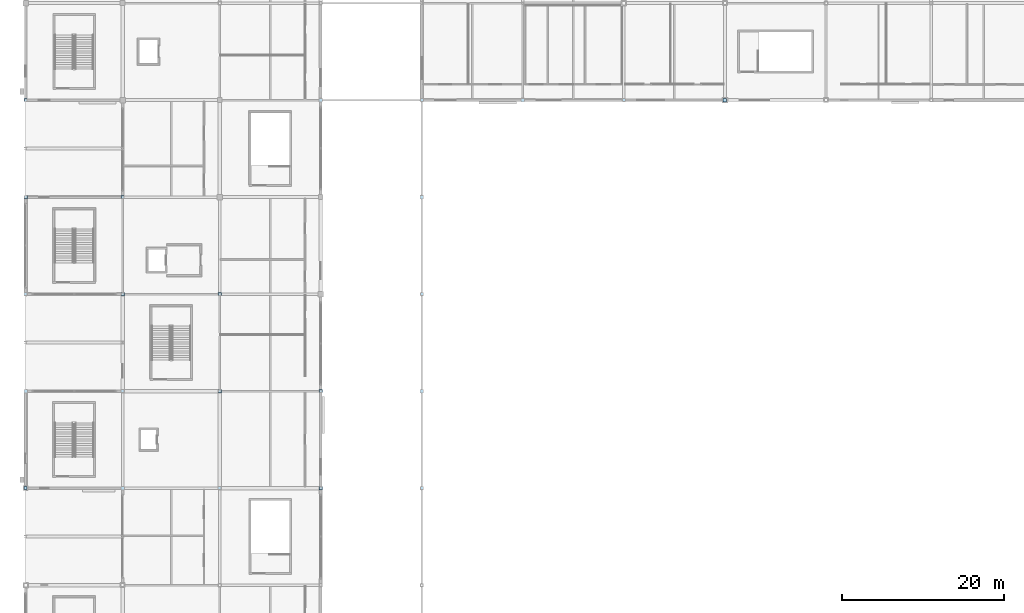
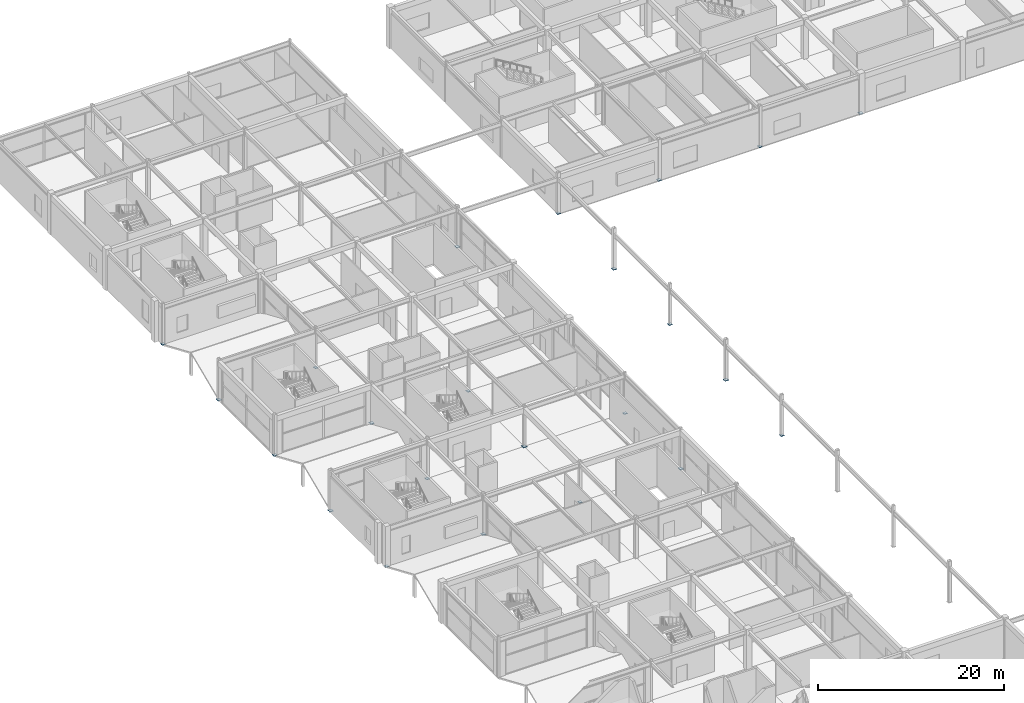
# One storey, part 64 of 105: 23 plates.
"""IFC4 building model written with IfcOpenShell, lengths in metres."""

from ifc_helpers import new_model, si_unit, direction, frame, origin, origin_2d, place, context, subcontext, project, spatial, rectangle, extrude, material, layer, layer_set, type_object, element, save


model = new_model("IFC4")

# Units and contexts
model_context = context("Model", 3, precision=1e-05, world=origin(), true_north=direction((0.0, 1.0)))
body_context = subcontext(model_context, "Body", "Model", "MODEL_VIEW")
ifc_project = project(units=[si_unit("LENGTHUNIT", "METRE"), si_unit("AREAUNIT", "SQUARE_METRE"), si_unit("VOLUMEUNIT", "CUBIC_METRE"), si_unit("PLANEANGLEUNIT", "RADIAN"), si_unit("MASSUNIT", "GRAM", prefix="KILO")], contexts=[model_context])

# Site, building, storey
site_placement = place(None, origin())
site = spatial("IfcSite", under=ifc_project, at=site_placement, CompositionType="ELEMENT")
building_placement = place(site_placement, origin())
building = spatial("IfcBuilding", under=site, at=building_placement, Name="Kazenohara Klinker Stadium", CompositionType="ELEMENT")
storey_placement = place(building_placement, frame((0.0, 0.0, 20.39990234375)))
storey = spatial("IfcBuildingStorey", under=building, at=storey_placement, Name="L04", CompositionType="ELEMENT", Elevation=20.39990234375)

# Plates
ifc_material = material(Name="Steel S355", Category="steel")
ifc_layer_1 = layer(ifc_material, 0.02001953125)
ifc_layer_set_1 = layer_set([ifc_layer_1], Name="Steel S355")
plate_type_1 = type_object("IfcPlateType", Name="PLT-GP01", PredefinedType="USERDEFINED", material=ifc_layer_set_1)
for number, where, z_axis, x_axis, name in (
    (1, (36.5, 132.0, -0.010009765625), (0.0, 0.0, 1.0), (1.0, 0.0, 0.0), "Hollow column end-cap plate GP01 L04 4/M"),
    (2, (49.0, 96.0, -0.010009765625), (0.0, 0.0, 1.0), (1.0, 0.0, 0.0), "Hollow column end-cap plate GP01 L04 5/J"),
    (3, (61.5, 132.0, -0.010009765625), (0.0, 0.0, 1.0), (1.0, 0.0, 0.0), "Hollow column end-cap plate GP01 L04 6/M"),
    (4, (86.5, 132.0, -0.010009765625), (0.0, 0.0, 1.0), (1.0, 0.0, 0.0), "Hollow column end-cap plate GP01 L04 8/M"),
):
    element("IfcPlate", number, at=place(storey_placement, frame(where, z_axis=z_axis, x_axis=x_axis)), inside=storey, type_object=plate_type_1, Name=name, ObjectType="GUSSET PLATE", PredefinedType="USERDEFINED", context=body_context, shape_type="SweptSolid", body=[
        extrude(rectangle(XDim=0.43994140625, YDim=0.43994140625, at=origin_2d()), origin(), (0.0, 0.0, 1.0), 0.02001953125),
    ])
ifc_layer_2 = layer(ifc_material, 0.02197265625)
ifc_layer_set_2 = layer_set([ifc_layer_2], Name="Steel S355")
plate_type_2 = type_object("IfcPlateType", Name="PLT-GP02", PredefinedType="USERDEFINED", material=ifc_layer_set_2)
for number, where, z_axis, x_axis, name in (
    (5, (0.0, 84.0, -0.010986328125), (0.0, 0.0, 1.0), (1.0, 0.0, 0.0), "Hollow column end-cap plate GP02 L04 1/H"),
    (6, (0.0, 108.0, -0.010986328125), (0.0, 0.0, 1.0), (1.0, 0.0, 0.0), "Hollow column end-cap plate GP02 L04 1/K"),
):
    element("IfcPlate", number, at=place(storey_placement, frame(where, z_axis=z_axis, x_axis=x_axis)), inside=storey, type_object=plate_type_2, Name=name, ObjectType="GUSSET PLATE", PredefinedType="USERDEFINED", context=body_context, shape_type="SweptSolid", body=[
        extrude(rectangle(XDim=0.389892578125, YDim=0.389892578125, at=origin_2d()), origin(), (0.0, 0.0, 1.0), 0.02197265625),
    ])
plate_1_placement = place(storey_placement, frame((0.0, 120.0, -0.010986328125), z_axis=(0.0, 0.0, 1.0), x_axis=(1.0, 0.0, 0.0)))
element("IfcPlate", 7, at=plate_1_placement, inside=storey, type_object=plate_type_2, Name="Hollow column end-cap plate GP02 L04 1/L", ObjectType="GUSSET PLATE", PredefinedType="USERDEFINED", context=body_context, shape_type="SweptSolid", body=[
    extrude(rectangle(XDim=0.43994140625, YDim=0.43994140625, at=origin_2d()), origin(), (0.0, 0.0, 1.0), 0.02197265625),
])
for number, where, z_axis, x_axis, name in (
    (8, (0.0, 132.0, -0.010986328125), (0.0, 0.0, 1.0), (1.0, 0.0, 0.0), "Hollow column end-cap plate GP02 L04 1/M"),
    (9, (12.0, 96.0, -0.010986328125), (0.0, 0.0, 1.0), (1.0, 0.0, 0.0), "Hollow column end-cap plate GP02 L04 2/J"),
):
    element("IfcPlate", number, at=place(storey_placement, frame(where, z_axis=z_axis, x_axis=x_axis)), inside=storey, type_object=plate_type_2, Name=name, ObjectType="GUSSET PLATE", PredefinedType="USERDEFINED", context=body_context, shape_type="SweptSolid", body=[
        extrude(rectangle(XDim=0.389892578125, YDim=0.389892578125, at=origin_2d()), origin(), (0.0, 0.0, 1.0), 0.02197265625),
    ])
plate_2_placement = place(storey_placement, frame((12.0, 108.0, -0.010986328125), z_axis=(0.0, 0.0, 1.0), x_axis=(1.0, 0.0, 0.0)))
element("IfcPlate", 10, at=plate_2_placement, inside=storey, type_object=plate_type_2, Name="Hollow column end-cap plate GP02 L04 2/K", ObjectType="GUSSET PLATE", PredefinedType="USERDEFINED", context=body_context, shape_type="SweptSolid", body=[
    extrude(rectangle(XDim=0.43994140625, YDim=0.43994140625, at=origin_2d()), origin(), (0.0, 0.0, 1.0), 0.02197265625),
])
for number, where, z_axis, x_axis, name in (
    (11, (12.0, 120.0, -0.010986328125), (0.0, 0.0, 1.0), (1.0, 0.0, 0.0), "Hollow column end-cap plate GP02 L04 2/L"),
    (12, (24.0, 84.0, -0.010986328125), (0.0, 0.0, 1.0), (1.0, 0.0, 0.0), "Hollow column end-cap plate GP02 L04 3/H"),
):
    element("IfcPlate", number, at=place(storey_placement, frame(where, z_axis=z_axis, x_axis=x_axis)), inside=storey, type_object=plate_type_2, Name=name, ObjectType="GUSSET PLATE", PredefinedType="USERDEFINED", context=body_context, shape_type="SweptSolid", body=[
        extrude(rectangle(XDim=0.389892578125, YDim=0.389892578125, at=origin_2d()), origin(), (0.0, 0.0, 1.0), 0.02197265625),
    ])
plate_3_placement = place(storey_placement, frame((24.0, 96.0, -0.010986328125), z_axis=(0.0, 0.0, 1.0), x_axis=(1.0, 0.0, 0.0)))
element("IfcPlate", 13, at=plate_3_placement, inside=storey, type_object=plate_type_2, Name="Hollow column end-cap plate GP02 L04 3/J", ObjectType="GUSSET PLATE", PredefinedType="USERDEFINED", context=body_context, shape_type="SweptSolid", body=[
    extrude(rectangle(XDim=0.43994140625, YDim=0.43994140625, at=origin_2d()), origin(), (0.0, 0.0, 1.0), 0.02197265625),
])
for number, where, z_axis, x_axis, name in (
    (14, (24.0, 108.0, -0.010986328125), (0.0, 0.0, 1.0), (1.0, 0.0, 0.0), "Hollow column end-cap plate GP02 L04 3/K"),
    (15, (36.5, 96.0, -0.010986328125), (0.0, 0.0, 1.0), (1.0, 0.0, 0.0), "Hollow column end-cap plate GP02 L04 4/J"),
    (16, (49.0, 108.0, -0.010986328125), (0.0, 0.0, 1.0), (1.0, 0.0, 0.0), "Hollow column end-cap plate GP02 L04 5/K"),
):
    element("IfcPlate", number, at=place(storey_placement, frame(where, z_axis=z_axis, x_axis=x_axis)), inside=storey, type_object=plate_type_2, Name=name, ObjectType="GUSSET PLATE", PredefinedType="USERDEFINED", context=body_context, shape_type="SweptSolid", body=[
        extrude(rectangle(XDim=0.389892578125, YDim=0.389892578125, at=origin_2d()), origin(), (0.0, 0.0, 1.0), 0.02197265625),
    ])
ifc_layer_3 = layer(ifc_material, 0.02392578125)
ifc_layer_set_3 = layer_set([ifc_layer_3], Name="Steel S355")
plate_type_3 = type_object("IfcPlateType", Name="PLT-GP03", PredefinedType="USERDEFINED", material=ifc_layer_set_3)
for number, where, z_axis, x_axis, name in (
    (17, (0.0, 96.0, -0.011962890625), (0.0, 0.0, 1.0), (1.0, 0.0, 0.0), "Hollow column end-cap plate GP03 L04 1/J"),
    (18, (12.0, 84.0, -0.011962890625), (0.0, 0.0, 1.0), (1.0, 0.0, 0.0), "Hollow column end-cap plate GP03 L04 2/H"),
    (19, (36.5, 84.0, -0.011962890625), (0.0, 0.0, 1.0), (1.0, 0.0, 0.0), "Hollow column end-cap plate GP03 L04 4/H"),
    (20, (49.0, 120.0, -0.011962890625), (0.0, 0.0, 1.0), (1.0, 0.0, 0.0), "Hollow column end-cap plate GP03 L04 5/L"),
):
    element("IfcPlate", number, at=place(storey_placement, frame(where, z_axis=z_axis, x_axis=x_axis)), inside=storey, type_object=plate_type_3, Name=name, ObjectType="GUSSET PLATE", PredefinedType="USERDEFINED", context=body_context, shape_type="SweptSolid", body=[
        extrude(rectangle(XDim=0.43994140625, YDim=0.43994140625, at=origin_2d()), origin(), (0.0, 0.0, 1.0), 0.02392578125),
    ])
for number, where, z_axis, x_axis, name in (
    (21, (49.0, 132.0, -0.011962890625), (0.0, 0.0, 1.0), (1.0, 0.0, 0.0), "Hollow column end-cap plate GP03 L04 5/M"),
    (22, (74.0, 132.0, -0.011962890625), (0.0, 0.0, 1.0), (1.0, 0.0, 0.0), "Hollow column end-cap plate GP03 L04 7/M"),
):
    element("IfcPlate", number, at=place(storey_placement, frame(where, z_axis=z_axis, x_axis=x_axis)), inside=storey, type_object=plate_type_3, Name=name, ObjectType="GUSSET PLATE", PredefinedType="USERDEFINED", context=body_context, shape_type="SweptSolid", body=[
        extrude(rectangle(XDim=0.389892578125, YDim=0.389892578125, at=origin_2d()), origin(), (0.0, 0.0, 1.0), 0.02392578125),
    ])
ifc_layer_4 = layer(ifc_material, 0.02490234375)
ifc_layer_set_4 = layer_set([ifc_layer_4], Name="Steel S355")
plate_type_4 = type_object("IfcPlateType", Name="PLT-GP04", PredefinedType="USERDEFINED", material=ifc_layer_set_4)
plate_4_placement = place(storey_placement, frame((49.0, 84.0, -0.012451171875), z_axis=(0.0, 0.0, 1.0), x_axis=(1.0, 0.0, 0.0)))
element("IfcPlate", 23, at=plate_4_placement, inside=storey, type_object=plate_type_4, Name="Hollow column end-cap plate GP04 L04 5/H", ObjectType="GUSSET PLATE", PredefinedType="USERDEFINED", context=body_context, shape_type="SweptSolid", body=[
    extrude(rectangle(XDim=0.389892578125, YDim=0.389892578125, at=origin_2d()), origin(), (0.0, 0.0, 1.0), 0.02490234375),
])

save(model, "model.ifc")
